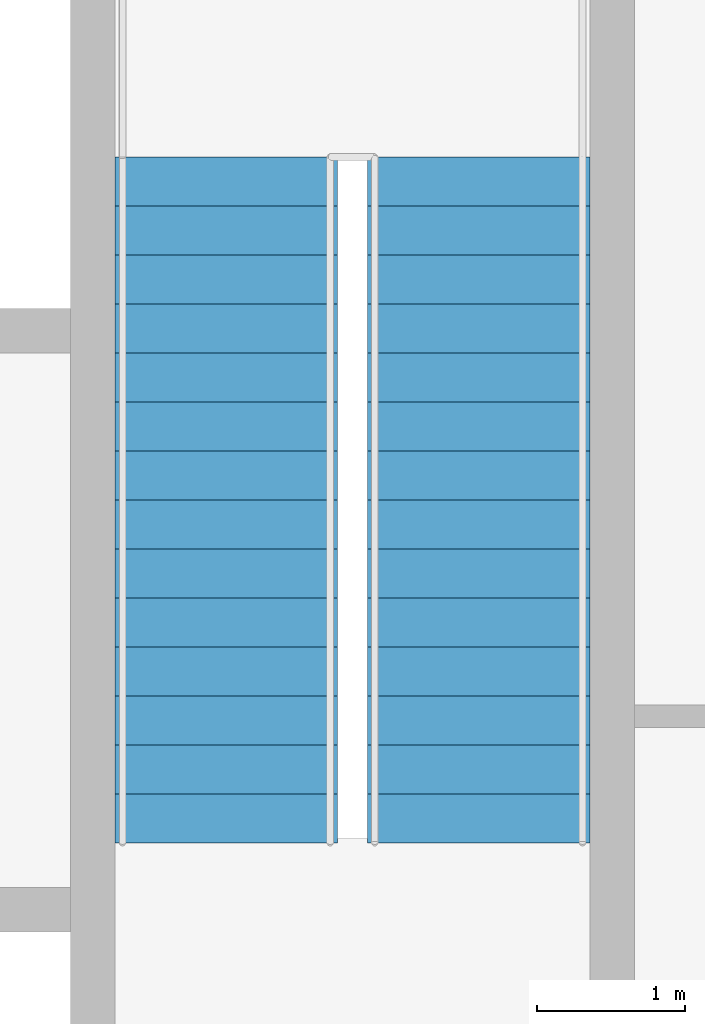
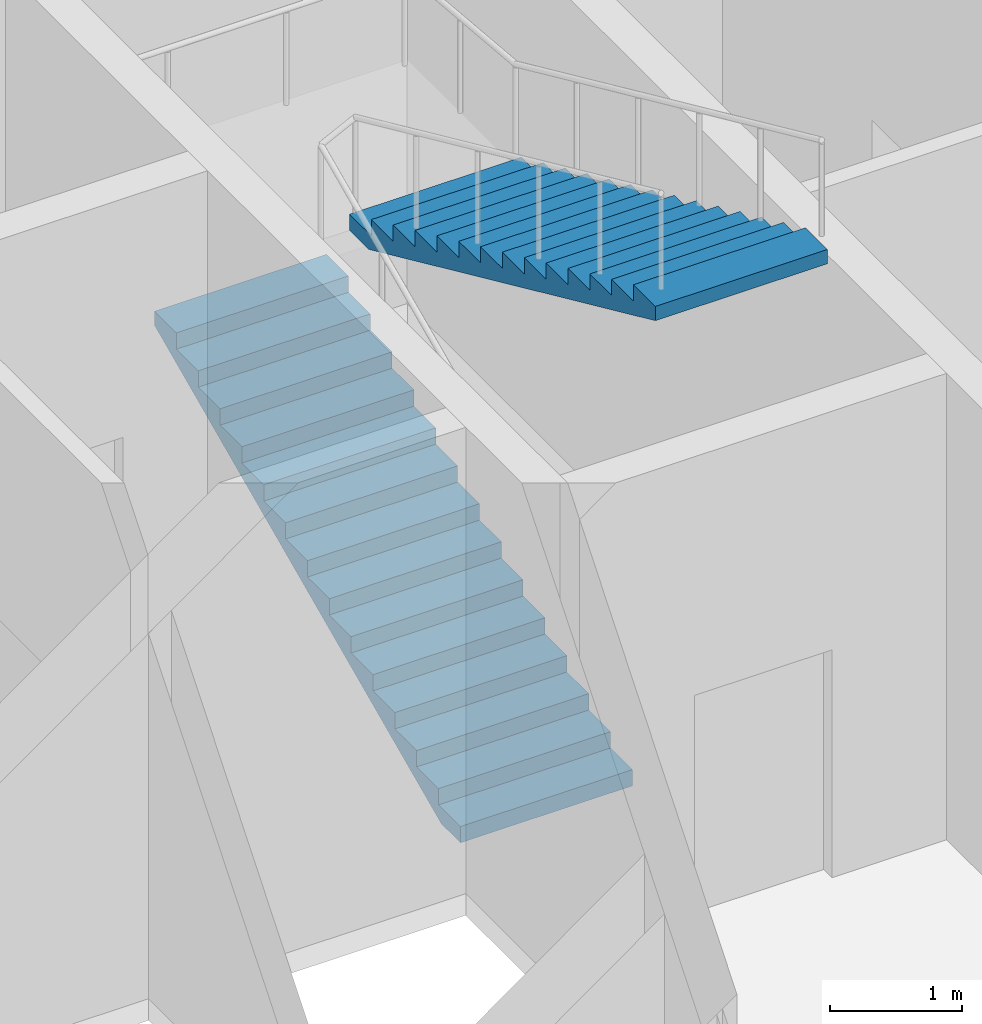
# One storey, part 10 of 11: 2 stair flights, 1 element without a shape of its own.
"""IFC4 building model written with IfcOpenShell, lengths in metres."""

from ifc_helpers import new_model, si_unit, direction, frame, origin, place, context, subcontext, project, spatial, polygons, material, type_object, element, aggregate, save


model = new_model("IFC4")

# Units and contexts
model_context = context("Model", 3, precision=1e-05, world=origin(), true_north=direction((0.0, 1.0)))
body_context = subcontext(model_context, "Body", "Model", "MODEL_VIEW")
ifc_project = project(units=[si_unit("LENGTHUNIT", "METRE"), si_unit("AREAUNIT", "SQUARE_METRE"), si_unit("VOLUMEUNIT", "CUBIC_METRE"), si_unit("PLANEANGLEUNIT", "RADIAN"), si_unit("MASSUNIT", "GRAM", prefix="KILO")], contexts=[model_context])

# Site, building, storey
site_placement = place(None, origin())
site = spatial("IfcSite", under=ifc_project, at=site_placement, CompositionType="ELEMENT")
building_placement = place(site_placement, origin())
building = spatial("IfcBuilding", under=site, at=building_placement, Name="Njiva Tower", CompositionType="ELEMENT")
storey_placement = place(building_placement, frame((0.0, 0.0, 106.8)))
storey = spatial("IfcBuildingStorey", under=building, at=storey_placement, Name="L22", CompositionType="ELEMENT", Elevation=106.8)

# Stair, stair flights
ifc_material = material(Name="Concrete C40/50", Category="concrete")
stair_type = type_object("IfcStairType", Name="ST4 Exit stair 1500", PredefinedType="HALF_TURN_STAIR", material=ifc_material)
stair_placement = place(storey_placement, origin())
stair = element("IfcStair", 1, at=stair_placement, inside=storey, type_object=stair_type, Name="Stair B", PredefinedType="HALF_TURN_STAIR")
stair_flight_type = type_object("IfcStairFlightType", Name="FL4 Stair flight 1500", PredefinedType="STRAIGHT", material=ifc_material)
stair_flight_1_placement = place(storey_placement, frame((11.75, 11.1, 0.0), z_axis=(0.0, 0.0, 1.0), x_axis=(0.0, 1.0, 0.0)))
stair_flight_1 = element("IfcStairFlight", 2, at=stair_flight_1_placement, type_object=stair_flight_type, Name="ST-B flight 1", NumberOfRisers=15, NumberOfTreads=14, PredefinedType="STRAIGHT", RiserHeight=0.15, TreadLength=0.33, context=body_context, shape_type="Tessellation", body=[
    polygons([(0.0, 0.75, 0.0), (0.0, 0.375, 0.0), (0.0, 0.0, 0.0), (0.0, -0.375, 0.0), (0.0, -0.75, 0.0), (0.0, 0.75, 0.15), (0.0, 0.375, 0.15), (0.0, 0.0, 0.15), (0.0, -0.375, 0.15), (0.0, -0.75, 0.15), (0.33, 0.75, 0.15), (0.33, 0.375, 0.15), (0.33, 0.0, 0.15), (0.33, -0.375, 0.15), (0.33, -0.75, 0.15), (0.33, 0.75, 0.3), (0.33, 0.375, 0.3), (0.33, 0.0, 0.3), (0.33, -0.375, 0.3), (0.33, -0.75, 0.3), (0.66, 0.75, 0.3), (0.66, 0.375, 0.3), (0.66, 0.0, 0.3), (0.66, -0.375, 0.3), (0.66, -0.75, 0.3), (0.66, 0.75, 0.45), (0.66, 0.375, 0.45), (0.66, 0.0, 0.45), (0.66, -0.375, 0.45), (0.66, -0.75, 0.45), (0.99, 0.75, 0.45), (0.99, 0.375, 0.45), (0.99, 0.0, 0.45), (0.99, -0.375, 0.45), (0.99, -0.75, 0.45), (0.99, 0.75, 0.6), (0.99, 0.375, 0.6), (0.99, 0.0, 0.6), (0.99, -0.375, 0.6), (0.99, -0.75, 0.6), (1.32, 0.75, 0.6), (1.32, 0.375, 0.6), (1.32, 0.0, 0.6), (1.32, -0.375, 0.6), (1.32, -0.75, 0.6), (1.32, 0.75, 0.75), (1.32, 0.375, 0.75), (1.32, 0.0, 0.75), (1.32, -0.375, 0.75), (1.32, -0.75, 0.75), (1.65, 0.75, 0.75), (1.65, 0.375, 0.75), (1.65, 0.0, 0.75), (1.65, -0.375, 0.75), (1.65, -0.75, 0.75), (1.65, 0.75, 0.9), (1.65, 0.375, 0.9), (1.65, 0.0, 0.9), (1.65, -0.375, 0.9), (1.65, -0.75, 0.9), (1.98, 0.75, 0.9), (1.98, 0.375, 0.9), (1.98, 0.0, 0.9), (1.98, -0.375, 0.9), (1.98, -0.75, 0.9), (1.98, 0.75, 1.05), (1.98, 0.375, 1.05), (1.98, 0.0, 1.05), (1.98, -0.375, 1.05), (1.98, -0.75, 1.05), (2.31, 0.75, 1.05), (2.31, 0.375, 1.05), (2.31, 0.0, 1.05), (2.31, -0.375, 1.05), (2.31, -0.75, 1.05), (2.31, 0.75, 1.2), (2.31, 0.375, 1.2), (2.31, 0.0, 1.2), (2.31, -0.375, 1.2), (2.31, -0.75, 1.2), (2.64, 0.75, 1.2), (2.64, 0.375, 1.2), (2.64, 0.0, 1.2), (2.64, -0.375, 1.2), (2.64, -0.75, 1.2), (2.64, 0.75, 1.35), (2.64, 0.375, 1.35), (2.64, 0.0, 1.35), (2.64, -0.375, 1.35), (2.64, -0.75, 1.35), (2.97, 0.75, 1.35), (2.97, 0.375, 1.35), (2.97, 0.0, 1.35), (2.97, -0.375, 1.35), (2.97, -0.75, 1.35), (2.97, 0.75, 1.5), (2.97, 0.375, 1.5), (2.97, 0.0, 1.5), (2.97, -0.375, 1.5), (2.97, -0.75, 1.5), (3.3, 0.75, 1.5), (3.3, 0.375, 1.5), (3.3, 0.0, 1.5), (3.3, -0.375, 1.5), (3.3, -0.75, 1.5), (3.3, 0.75, 1.65), (3.3, 0.375, 1.65), (3.3, 0.0, 1.65), (3.3, -0.375, 1.65), (3.3, -0.75, 1.65), (3.63, 0.75, 1.65), (3.63, 0.375, 1.65), (3.63, 0.0, 1.65), (3.63, -0.375, 1.65), (3.63, -0.75, 1.65), (3.63, 0.75, 1.8), (3.63, 0.375, 1.8), (3.63, 0.0, 1.8), (3.63, -0.375, 1.8), (3.63, -0.75, 1.8), (3.96, 0.75, 1.8), (3.96, 0.375, 1.8), (3.96, 0.0, 1.8), (3.96, -0.375, 1.8), (3.96, -0.75, 1.8), (3.96, 0.75, 1.95), (3.96, 0.375, 1.95), (3.96, 0.0, 1.95), (3.96, -0.375, 1.95), (3.96, -0.75, 1.95), (4.29, 0.75, 1.95), (4.29, 0.375, 1.95), (4.29, 0.0, 1.95), (4.29, -0.375, 1.95), (4.29, -0.75, 1.95), (4.29, 0.75, 2.1), (4.29, 0.375, 2.1), (4.29, 0.0, 2.1), (4.29, -0.375, 2.1), (4.29, -0.75, 2.1), (4.62, 0.75, 2.1), (4.62, 0.375, 2.1), (4.62, 0.0, 2.1), (4.62, -0.375, 2.1), (4.62, -0.75, 2.1), (4.62, 0.75, 1.9682), (4.62, 0.375, 1.9682), (4.62, 0.0, 1.9682), (4.62, -0.375, 1.9682), (4.62, -0.75, 1.9682), (0.29, 0.75, 0.0), (0.29, 0.375, 0.0), (0.29, 0.0, 0.0), (0.29, -0.375, 0.0), (0.29, -0.75, 0.0)], [[[1, 6, 11, 16, 21, 26, 31, 36, 41, 46, 51, 56, 61, 66, 71, 76, 81, 86, 91, 96, 101, 106, 111, 116, 121, 126, 131, 136, 141, 146, 151]], [[155, 150, 145, 140, 135, 130, 125, 120, 115, 110, 105, 100, 95, 90, 85, 80, 75, 70, 65, 60, 55, 50, 45, 40, 35, 30, 25, 20, 15, 10, 5]], [[6, 1, 2, 7]], [[7, 2, 3, 8]], [[8, 3, 4, 9]], [[9, 4, 5, 10]], [[11, 6, 7, 12]], [[12, 7, 8, 13]], [[13, 8, 9, 14]], [[14, 9, 10, 15]], [[16, 11, 12, 17]], [[17, 12, 13, 18]], [[18, 13, 14, 19]], [[19, 14, 15, 20]], [[21, 16, 17, 22]], [[22, 17, 18, 23]], [[23, 18, 19, 24]], [[24, 19, 20, 25]], [[26, 21, 22, 27]], [[27, 22, 23, 28]], [[28, 23, 24, 29]], [[29, 24, 25, 30]], [[31, 26, 27, 32]], [[32, 27, 28, 33]], [[33, 28, 29, 34]], [[34, 29, 30, 35]], [[36, 31, 32, 37]], [[37, 32, 33, 38]], [[38, 33, 34, 39]], [[39, 34, 35, 40]], [[41, 36, 37, 42]], [[42, 37, 38, 43]], [[43, 38, 39, 44]], [[44, 39, 40, 45]], [[46, 41, 42, 47]], [[47, 42, 43, 48]], [[48, 43, 44, 49]], [[49, 44, 45, 50]], [[51, 46, 47, 52]], [[52, 47, 48, 53]], [[53, 48, 49, 54]], [[54, 49, 50, 55]], [[56, 51, 52, 57]], [[57, 52, 53, 58]], [[58, 53, 54, 59]], [[59, 54, 55, 60]], [[61, 56, 57, 62]], [[62, 57, 58, 63]], [[63, 58, 59, 64]], [[64, 59, 60, 65]], [[66, 61, 62, 67]], [[67, 62, 63, 68]], [[68, 63, 64, 69]], [[69, 64, 65, 70]], [[71, 66, 67, 72]], [[72, 67, 68, 73]], [[73, 68, 69, 74]], [[74, 69, 70, 75]], [[76, 71, 72, 77]], [[77, 72, 73, 78]], [[78, 73, 74, 79]], [[79, 74, 75, 80]], [[81, 76, 77, 82]], [[82, 77, 78, 83]], [[83, 78, 79, 84]], [[84, 79, 80, 85]], [[86, 81, 82, 87]], [[87, 82, 83, 88]], [[88, 83, 84, 89]], [[89, 84, 85, 90]], [[91, 86, 87, 92]], [[92, 87, 88, 93]], [[93, 88, 89, 94]], [[94, 89, 90, 95]], [[96, 91, 92, 97]], [[97, 92, 93, 98]], [[98, 93, 94, 99]], [[99, 94, 95, 100]], [[101, 96, 97, 102]], [[102, 97, 98, 103]], [[103, 98, 99, 104]], [[104, 99, 100, 105]], [[106, 101, 102, 107]], [[107, 102, 103, 108]], [[108, 103, 104, 109]], [[109, 104, 105, 110]], [[111, 106, 107, 112]], [[112, 107, 108, 113]], [[113, 108, 109, 114]], [[114, 109, 110, 115]], [[116, 111, 112, 117]], [[117, 112, 113, 118]], [[118, 113, 114, 119]], [[119, 114, 115, 120]], [[121, 116, 117, 122]], [[122, 117, 118, 123]], [[123, 118, 119, 124]], [[124, 119, 120, 125]], [[126, 121, 122, 127]], [[127, 122, 123, 128]], [[128, 123, 124, 129]], [[129, 124, 125, 130]], [[131, 126, 127, 132]], [[132, 127, 128, 133]], [[133, 128, 129, 134]], [[134, 129, 130, 135]], [[136, 131, 132, 137]], [[137, 132, 133, 138]], [[138, 133, 134, 139]], [[139, 134, 135, 140]], [[141, 136, 137, 142]], [[142, 137, 138, 143]], [[143, 138, 139, 144]], [[144, 139, 140, 145]], [[146, 141, 142, 147]], [[147, 142, 143, 148]], [[148, 143, 144, 149]], [[149, 144, 145, 150]], [[151, 146, 147, 152]], [[152, 147, 148, 153]], [[153, 148, 149, 154]], [[154, 149, 150, 155]], [[1, 151, 152, 2]], [[2, 152, 153, 3]], [[3, 153, 154, 4]], [[4, 154, 155, 5]]], closed=True),
])
stair_flight_2_placement = place(storey_placement, frame((13.45, 15.72, 2.25), z_axis=(0.0, 0.0, 1.0), x_axis=(0.0, -1.0, 0.0)))
stair_flight_2 = element("IfcStairFlight", 3, at=stair_flight_2_placement, type_object=stair_flight_type, Name="ST-B flight 2", NumberOfRisers=15, NumberOfTreads=14, PredefinedType="STRAIGHT", RiserHeight=0.15, TreadLength=0.33, context=body_context, shape_type="Tessellation", body=[
    polygons([(0.0, 0.75, 0.0), (0.0, 0.375, 0.0), (0.0, 0.0, 0.0), (0.0, -0.375, 0.0), (0.0, -0.75, 0.0), (0.0, 0.75, 0.15), (0.0, 0.375, 0.15), (0.0, 0.0, 0.15), (0.0, -0.375, 0.15), (0.0, -0.75, 0.15), (0.33, 0.75, 0.15), (0.33, 0.375, 0.15), (0.33, 0.0, 0.15), (0.33, -0.375, 0.15), (0.33, -0.75, 0.15), (0.33, 0.75, 0.3), (0.33, 0.375, 0.3), (0.33, 0.0, 0.3), (0.33, -0.375, 0.3), (0.33, -0.75, 0.3), (0.66, 0.75, 0.3), (0.66, 0.375, 0.3), (0.66, 0.0, 0.3), (0.66, -0.375, 0.3), (0.66, -0.75, 0.3), (0.66, 0.75, 0.45), (0.66, 0.375, 0.45), (0.66, 0.0, 0.45), (0.66, -0.375, 0.45), (0.66, -0.75, 0.45), (0.99, 0.75, 0.45), (0.99, 0.375, 0.45), (0.99, 0.0, 0.45), (0.99, -0.375, 0.45), (0.99, -0.75, 0.45), (0.99, 0.75, 0.6), (0.99, 0.375, 0.6), (0.99, 0.0, 0.6), (0.99, -0.375, 0.6), (0.99, -0.75, 0.6), (1.32, 0.75, 0.6), (1.32, 0.375, 0.6), (1.32, 0.0, 0.6), (1.32, -0.375, 0.6), (1.32, -0.75, 0.6), (1.32, 0.75, 0.75), (1.32, 0.375, 0.75), (1.32, 0.0, 0.75), (1.32, -0.375, 0.75), (1.32, -0.75, 0.75), (1.65, 0.75, 0.75), (1.65, 0.375, 0.75), (1.65, 0.0, 0.75), (1.65, -0.375, 0.75), (1.65, -0.75, 0.75), (1.65, 0.75, 0.9), (1.65, 0.375, 0.9), (1.65, 0.0, 0.9), (1.65, -0.375, 0.9), (1.65, -0.75, 0.9), (1.98, 0.75, 0.9), (1.98, 0.375, 0.9), (1.98, 0.0, 0.9), (1.98, -0.375, 0.9), (1.98, -0.75, 0.9), (1.98, 0.75, 1.05), (1.98, 0.375, 1.05), (1.98, 0.0, 1.05), (1.98, -0.375, 1.05), (1.98, -0.75, 1.05), (2.31, 0.75, 1.05), (2.31, 0.375, 1.05), (2.31, 0.0, 1.05), (2.31, -0.375, 1.05), (2.31, -0.75, 1.05), (2.31, 0.75, 1.2), (2.31, 0.375, 1.2), (2.31, 0.0, 1.2), (2.31, -0.375, 1.2), (2.31, -0.75, 1.2), (2.64, 0.75, 1.2), (2.64, 0.375, 1.2), (2.64, 0.0, 1.2), (2.64, -0.375, 1.2), (2.64, -0.75, 1.2), (2.64, 0.75, 1.35), (2.64, 0.375, 1.35), (2.64, 0.0, 1.35), (2.64, -0.375, 1.35), (2.64, -0.75, 1.35), (2.97, 0.75, 1.35), (2.97, 0.375, 1.35), (2.97, 0.0, 1.35), (2.97, -0.375, 1.35), (2.97, -0.75, 1.35), (2.97, 0.75, 1.5), (2.97, 0.375, 1.5), (2.97, 0.0, 1.5), (2.97, -0.375, 1.5), (2.97, -0.75, 1.5), (3.3, 0.75, 1.5), (3.3, 0.375, 1.5), (3.3, 0.0, 1.5), (3.3, -0.375, 1.5), (3.3, -0.75, 1.5), (3.3, 0.75, 1.65), (3.3, 0.375, 1.65), (3.3, 0.0, 1.65), (3.3, -0.375, 1.65), (3.3, -0.75, 1.65), (3.63, 0.75, 1.65), (3.63, 0.375, 1.65), (3.63, 0.0, 1.65), (3.63, -0.375, 1.65), (3.63, -0.75, 1.65), (3.63, 0.75, 1.8), (3.63, 0.375, 1.8), (3.63, 0.0, 1.8), (3.63, -0.375, 1.8), (3.63, -0.75, 1.8), (3.96, 0.75, 1.8), (3.96, 0.375, 1.8), (3.96, 0.0, 1.8), (3.96, -0.375, 1.8), (3.96, -0.75, 1.8), (3.96, 0.75, 1.95), (3.96, 0.375, 1.95), (3.96, 0.0, 1.95), (3.96, -0.375, 1.95), (3.96, -0.75, 1.95), (4.29, 0.75, 1.95), (4.29, 0.375, 1.95), (4.29, 0.0, 1.95), (4.29, -0.375, 1.95), (4.29, -0.75, 1.95), (4.29, 0.75, 2.1), (4.29, 0.375, 2.1), (4.29, 0.0, 2.1), (4.29, -0.375, 2.1), (4.29, -0.75, 2.1), (4.62, 0.75, 2.1), (4.62, 0.375, 2.1), (4.62, 0.0, 2.1), (4.62, -0.375, 2.1), (4.62, -0.75, 2.1), (4.62, 0.75, 1.9682), (4.62, 0.375, 1.9682), (4.62, 0.0, 1.9682), (4.62, -0.375, 1.9682), (4.62, -0.75, 1.9682), (0.29, 0.75, 0.0), (0.29, 0.375, 0.0), (0.29, 0.0, 0.0), (0.29, -0.375, 0.0), (0.29, -0.75, 0.0)], [[[1, 6, 11, 16, 21, 26, 31, 36, 41, 46, 51, 56, 61, 66, 71, 76, 81, 86, 91, 96, 101, 106, 111, 116, 121, 126, 131, 136, 141, 146, 151]], [[155, 150, 145, 140, 135, 130, 125, 120, 115, 110, 105, 100, 95, 90, 85, 80, 75, 70, 65, 60, 55, 50, 45, 40, 35, 30, 25, 20, 15, 10, 5]], [[6, 1, 2, 7]], [[7, 2, 3, 8]], [[8, 3, 4, 9]], [[9, 4, 5, 10]], [[11, 6, 7, 12]], [[12, 7, 8, 13]], [[13, 8, 9, 14]], [[14, 9, 10, 15]], [[16, 11, 12, 17]], [[17, 12, 13, 18]], [[18, 13, 14, 19]], [[19, 14, 15, 20]], [[21, 16, 17, 22]], [[22, 17, 18, 23]], [[23, 18, 19, 24]], [[24, 19, 20, 25]], [[26, 21, 22, 27]], [[27, 22, 23, 28]], [[28, 23, 24, 29]], [[29, 24, 25, 30]], [[31, 26, 27, 32]], [[32, 27, 28, 33]], [[33, 28, 29, 34]], [[34, 29, 30, 35]], [[36, 31, 32, 37]], [[37, 32, 33, 38]], [[38, 33, 34, 39]], [[39, 34, 35, 40]], [[41, 36, 37, 42]], [[42, 37, 38, 43]], [[43, 38, 39, 44]], [[44, 39, 40, 45]], [[46, 41, 42, 47]], [[47, 42, 43, 48]], [[48, 43, 44, 49]], [[49, 44, 45, 50]], [[51, 46, 47, 52]], [[52, 47, 48, 53]], [[53, 48, 49, 54]], [[54, 49, 50, 55]], [[56, 51, 52, 57]], [[57, 52, 53, 58]], [[58, 53, 54, 59]], [[59, 54, 55, 60]], [[61, 56, 57, 62]], [[62, 57, 58, 63]], [[63, 58, 59, 64]], [[64, 59, 60, 65]], [[66, 61, 62, 67]], [[67, 62, 63, 68]], [[68, 63, 64, 69]], [[69, 64, 65, 70]], [[71, 66, 67, 72]], [[72, 67, 68, 73]], [[73, 68, 69, 74]], [[74, 69, 70, 75]], [[76, 71, 72, 77]], [[77, 72, 73, 78]], [[78, 73, 74, 79]], [[79, 74, 75, 80]], [[81, 76, 77, 82]], [[82, 77, 78, 83]], [[83, 78, 79, 84]], [[84, 79, 80, 85]], [[86, 81, 82, 87]], [[87, 82, 83, 88]], [[88, 83, 84, 89]], [[89, 84, 85, 90]], [[91, 86, 87, 92]], [[92, 87, 88, 93]], [[93, 88, 89, 94]], [[94, 89, 90, 95]], [[96, 91, 92, 97]], [[97, 92, 93, 98]], [[98, 93, 94, 99]], [[99, 94, 95, 100]], [[101, 96, 97, 102]], [[102, 97, 98, 103]], [[103, 98, 99, 104]], [[104, 99, 100, 105]], [[106, 101, 102, 107]], [[107, 102, 103, 108]], [[108, 103, 104, 109]], [[109, 104, 105, 110]], [[111, 106, 107, 112]], [[112, 107, 108, 113]], [[113, 108, 109, 114]], [[114, 109, 110, 115]], [[116, 111, 112, 117]], [[117, 112, 113, 118]], [[118, 113, 114, 119]], [[119, 114, 115, 120]], [[121, 116, 117, 122]], [[122, 117, 118, 123]], [[123, 118, 119, 124]], [[124, 119, 120, 125]], [[126, 121, 122, 127]], [[127, 122, 123, 128]], [[128, 123, 124, 129]], [[129, 124, 125, 130]], [[131, 126, 127, 132]], [[132, 127, 128, 133]], [[133, 128, 129, 134]], [[134, 129, 130, 135]], [[136, 131, 132, 137]], [[137, 132, 133, 138]], [[138, 133, 134, 139]], [[139, 134, 135, 140]], [[141, 136, 137, 142]], [[142, 137, 138, 143]], [[143, 138, 139, 144]], [[144, 139, 140, 145]], [[146, 141, 142, 147]], [[147, 142, 143, 148]], [[148, 143, 144, 149]], [[149, 144, 145, 150]], [[151, 146, 147, 152]], [[152, 147, 148, 153]], [[153, 148, 149, 154]], [[154, 149, 150, 155]], [[1, 151, 152, 2]], [[2, 152, 153, 3]], [[3, 153, 154, 4]], [[4, 154, 155, 5]]], closed=True),
])
aggregate(stair, [stair_flight_1, stair_flight_2])

save(model, "model.ifc")
